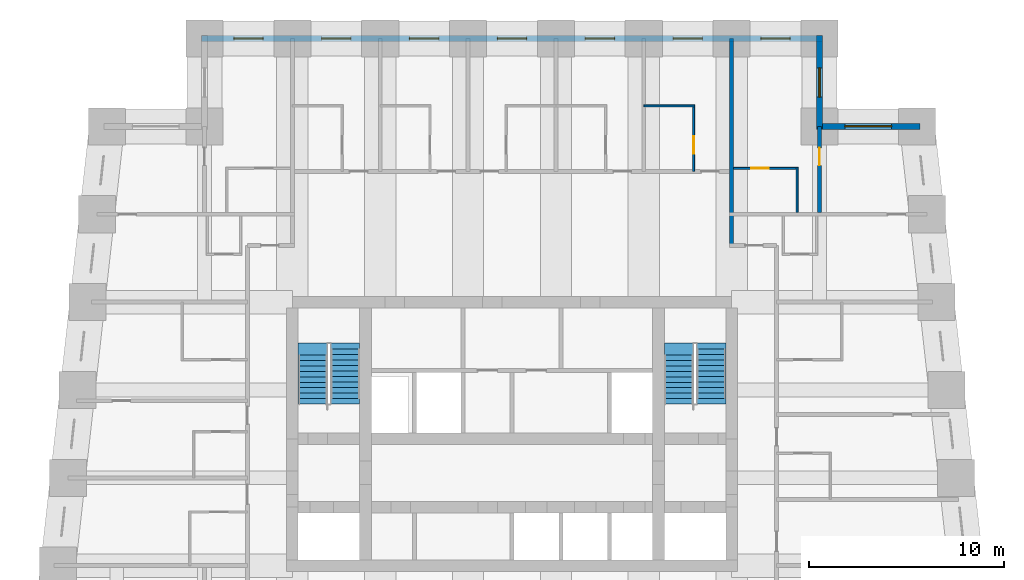
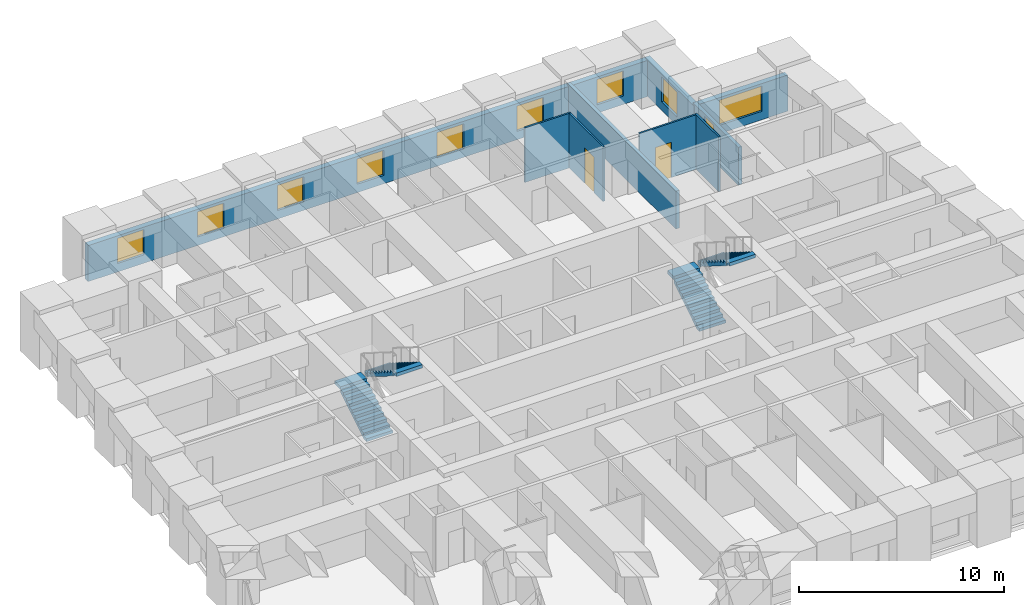
# One storey, part 7 of 8: 9 walls, 9 windows, 4 stair flights, 3 doors, 12 openings, 2 elements without a shape of their own.
"""IFC4 building model written with IfcOpenShell, lengths in metres."""

from ifc_helpers import new_model, si_unit, direction, frame, frame_2d, origin, place, context, subcontext, project, spatial, polyline, rectangle, outline, extrude, material, layer, layer_set, type_object, element, fill, aggregate, save


model = new_model("IFC4")

# Units and contexts
model_context = context("Model", 3, precision=1e-05, world=origin(), true_north=direction((0.0, 1.0)))
body_context = subcontext(model_context, "Body", "Model", "MODEL_VIEW")
ifc_project = project(units=[si_unit("LENGTHUNIT", "METRE"), si_unit("AREAUNIT", "SQUARE_METRE"), si_unit("VOLUMEUNIT", "CUBIC_METRE"), si_unit("PLANEANGLEUNIT", "RADIAN"), si_unit("MASSUNIT", "GRAM", prefix="KILO")], contexts=[model_context])

# Site, building, storey
site_placement = place(None, origin())
site = spatial("IfcSite", under=ifc_project, at=site_placement, CompositionType="ELEMENT")
building_placement = place(site_placement, origin())
building = spatial("IfcBuilding", under=site, at=building_placement, Name="Kilele Tower Hotel", CompositionType="ELEMENT")
storey_placement = place(building_placement, frame((0.0, 0.0, 93.39990234375)))
storey = spatial("IfcBuildingStorey", under=building, at=storey_placement, Name="L23", CompositionType="ELEMENT", Elevation=93.39990234375)

# Wall
ifc_material_1 = material(Name="Moisture-resistant board")
ifc_layer_1 = layer(ifc_material_1, 0.10009765625)
ifc_layer_set_1 = layer_set([ifc_layer_1], Name="Moisture-resistant board")
wall_type_1 = type_object("IfcWallType", Name="Bathroom partition 100", PredefinedType="PLUMBINGWALL", material=ifc_layer_set_1)
wall_1_placement = place(storey_placement, frame((31.5, 37.050048828125, 0.0), z_axis=(0.0, 0.0, 1.0), x_axis=(1.0, 0.0, 0.0)))
element("IfcWall", 1, at=wall_1_placement, inside=storey, type_object=wall_type_1, Name="Bathroom partition 100 L23", PredefinedType="PLUMBINGWALL", context=body_context, shape_type="SweptSolid", body=[
    extrude(rectangle(XDim=2.60009765625, YDim=0.10009765625, at=frame_2d((1.300048828125, 0.0))), origin(), (0.0, 0.0, 1.0), 3.25),
])

# Wall, opening, door
wall_2_placement = place(storey_placement, frame((34.050048828125, 33.699951171875, 0.0), z_axis=(0.0, 0.0, 1.0), x_axis=(0.0, 1.0, 0.0)))
wall_2 = element("IfcWall", 2, at=wall_2_placement, inside=storey, type_object=wall_type_1, Name="Bathroom partition 100 L23", PredefinedType="PLUMBINGWALL", context=body_context, shape_type="SweptSolid", body=[
    extrude(rectangle(XDim=3.400146484375, YDim=0.10009765625, at=frame_2d((1.7001953125, 0.0))), origin(), (0.0, 0.0, 1.0), 3.25),
])
opening_1_placement = place(wall_2_placement, frame((1.7998046875, 0.0, 0.0), z_axis=(0.0, 0.0, 1.0), x_axis=(-1.0, 0.0, 0.0)))
opening_1 = element("IfcOpeningElement", 3, at=opening_1_placement, cuts=wall_2, Name="Opening D2A", PredefinedType="OPENING", context=body_context, shape_type="SweptSolid", body=[
    extrude(rectangle(XDim=0.89990234375, YDim=2.10009765625, at=frame_2d((0.449951171875, 1.050048828125))), frame((0.0, 0.06005859375, 0.0), z_axis=(0.0, -1.0, 0.0), x_axis=(1.0, 0.0, 0.0)), (0.0, 0.0, 1.0), 0.1201171875),
])
ifc_material_2 = material(Name="Timber door leaf in hardwood frame", Category="wood")
door_type_1 = type_object("IfcDoorType", Name="Bathroom door 900", OperationType="SINGLE_SWING_LEFT", PredefinedType="DOOR", material=ifc_material_2)
door_1_placement = place(opening_1_placement, origin())
door_1 = element("IfcDoor", 4, at=door_1_placement, inside=storey, type_object=door_type_1, Name="Bathroom door 2313B", OperationType="SINGLE_SWING_RIGHT", OverallHeight=2.10009765625, OverallWidth=0.89990234375, PredefinedType="DOOR", context=body_context, shape_type="SweptSolid", body=[
    extrude(rectangle(XDim=0.89990234375, YDim=2.10009765625, at=frame_2d((0.449951171875, 1.050048828125))), frame((0.0, 0.02490234375, 0.0), z_axis=(0.0, -1.0, 0.0), x_axis=(1.0, 0.0, 0.0)), (0.0, 0.0, 1.0), 0.050048828125),
])
fill(opening_1, door_1)

# Wall
wall_3_placement = place(storey_placement, frame((39.35009765625, 31.60009765625, 0.0), z_axis=(0.0, 0.0, 1.0), x_axis=(0.0, 1.0, 0.0)))
element("IfcWall", 5, at=wall_3_placement, inside=storey, type_object=wall_type_1, Name="Bathroom partition 100 L23", PredefinedType="PLUMBINGWALL", context=body_context, shape_type="SweptSolid", body=[
    extrude(rectangle(XDim=2.2998046875, YDim=0.10009765625, at=frame_2d((1.14990234375, 0.0))), origin(), (0.0, 0.0, 1.0), 3.25),
])

# Wall, opening, door
wall_4_placement = place(storey_placement, frame((36.10009765625, 33.85009765625, 0.0), z_axis=(0.0, 0.0, 1.0), x_axis=(1.0, 0.0, 0.0)))
wall_4 = element("IfcWall", 6, at=wall_4_placement, inside=storey, type_object=wall_type_1, Name="Bathroom partition 100 L23", PredefinedType="PLUMBINGWALL", context=body_context, shape_type="SweptSolid", body=[
    extrude(rectangle(XDim=3.2998046875, YDim=0.10009765625, at=frame_2d((1.64990234375, 0.0))), origin(), (0.0, 0.0, 1.0), 3.25),
])
opening_2_placement = place(wall_4_placement, frame((0.89990234375, 0.0, 0.0)))
opening_2 = element("IfcOpeningElement", 7, at=opening_2_placement, cuts=wall_4, Name="Opening D2A", PredefinedType="OPENING", context=body_context, shape_type="SweptSolid", body=[
    extrude(rectangle(XDim=0.89990234375, YDim=2.10009765625, at=frame_2d((0.449951171875, 1.050048828125))), frame((0.0, 0.06005859375, 0.0), z_axis=(0.0, -1.0, 0.0), x_axis=(1.0, 0.0, 0.0)), (0.0, 0.0, 1.0), 0.1201171875),
])
door_2_placement = place(opening_2_placement, origin())
door_2 = element("IfcDoor", 8, at=door_2_placement, inside=storey, type_object=door_type_1, Name="Bathroom door 2324B", OperationType="SINGLE_SWING_LEFT", OverallHeight=2.10009765625, OverallWidth=0.89990234375, PredefinedType="DOOR", context=body_context, shape_type="SweptSolid", body=[
    extrude(rectangle(XDim=0.89990234375, YDim=2.10009765625, at=frame_2d((0.449951171875, 1.050048828125))), frame((0.0, 0.02490234375, 0.0), z_axis=(0.0, -1.0, 0.0), x_axis=(1.0, 0.0, 0.0)), (0.0, 0.0, 1.0), 0.050048828125),
])
fill(opening_2, door_2)

ifc_material_3 = material(Name="Blockwork, plastered both sides", Category="masonry")
ifc_layer_2 = layer(ifc_material_3, 0.199951171875)
ifc_layer_set_2 = layer_set([ifc_layer_2], Name="Blockwork, plastered both sides")
wall_type_2 = type_object("IfcWallType", Name="Partition wall 200", PredefinedType="PARTITIONING", material=ifc_layer_set_2)
wall_5_placement = place(storey_placement, frame((40.5, 31.60009765625, 0.0), z_axis=(0.0, 0.0, 1.0), x_axis=(0.0, 1.0, 0.0)))
wall_5 = element("IfcWall", 9, at=wall_5_placement, inside=storey, type_object=wall_type_2, Name="Partition wall 200 L23", PredefinedType="PARTITIONING", context=body_context, shape_type="SweptSolid", body=[
    extrude(rectangle(XDim=4.39990234375, YDim=0.199951171875, at=frame_2d((2.199951171875, 0.0))), origin(), (0.0, 0.0, 1.0), 2.25),
])
opening_3_placement = place(wall_5_placement, frame((2.39990234375, 0.0, 0.0)))
opening_3 = element("IfcOpeningElement", 10, at=opening_3_placement, cuts=wall_5, Name="Opening D3", PredefinedType="OPENING", context=body_context, shape_type="SweptSolid", body=[
    extrude(rectangle(XDim=0.89990234375, YDim=2.10009765625, at=frame_2d((0.449951171875, 1.050048828125))), frame((0.0, 0.10986328125, 0.0), z_axis=(0.0, -1.0, 0.0), x_axis=(1.0, 0.0, 0.0)), (0.0, 0.0, 1.0), 0.219970703125),
])
ifc_material_4 = material(Name="Timber door leaf in hardwood frame", Category="wood")
door_type_2 = type_object("IfcDoorType", Name="Suite internal door 900", OperationType="SINGLE_SWING_LEFT", PredefinedType="DOOR", material=ifc_material_4)
door_3_placement = place(opening_3_placement, origin())
door_3 = element("IfcDoor", 11, at=door_3_placement, inside=storey, type_object=door_type_2, Name="Suite door 2325", OperationType="SINGLE_SWING_RIGHT", OverallHeight=2.10009765625, OverallWidth=0.89990234375, PredefinedType="DOOR", context=body_context, shape_type="SweptSolid", body=[
    extrude(rectangle(XDim=0.89990234375, YDim=2.10009765625, at=frame_2d((0.449951171875, 1.050048828125))), frame((0.0, 0.02490234375, 0.0), z_axis=(0.0, -1.0, 0.0), x_axis=(1.0, 0.0, 0.0)), (0.0, 0.0, 1.0), 0.050048828125),
])
fill(opening_3, door_3)

# Wall
ifc_material_5 = material(Name="Blockwork, plastered both sides", Category="masonry")
ifc_layer_3 = layer(ifc_material_5, 0.199951171875)
ifc_layer_set_3 = layer_set([ifc_layer_3], Name="Blockwork, plastered both sides")
wall_type_3 = type_object("IfcWallType", Name="Party wall 200", PredefinedType="PARTITIONING", material=ifc_layer_set_3)
wall_6_placement = place(storey_placement, frame((36.0, 29.89990234375, 0.0), z_axis=(0.0, 0.0, 1.0), x_axis=(0.0, 1.0, 0.0)))
element("IfcWall", 12, at=wall_6_placement, inside=storey, type_object=wall_type_3, Name="Party wall 200 L23", PredefinedType="PARTITIONING", context=body_context, shape_type="SweptSolid", body=[
    extrude(rectangle(XDim=10.60009765625, YDim=0.199951171875, at=frame_2d((5.300048828125, 0.0))), origin(), (0.0, 0.0, 1.0), 2.25),
])

# Wall, opening, window
ifc_material_6 = material(Name="Concrete C40/50 precast", Category="concrete")
ifc_layer_4 = layer(ifc_material_6, 0.260009765625, Name="Precast backing", Category="LoadBearing")
ifc_material_7 = material(Name="Reconstituted stone finish", Category="masonry")
ifc_layer_5 = layer(ifc_material_7, 0.0400390625, Name="Face mix", Category="Finish")
ifc_layer_set_4 = layer_set([ifc_layer_4, ifc_layer_5], Name="Precast concrete C40/50, reconstituted stone finish")
wall_type_4 = type_object("IfcWallType", Name="Precast stone facade wall 300", PredefinedType="STANDARD", material=ifc_layer_set_4)
wall_7_placement = place(storey_placement, frame((45.64990234375, 36.0, 0.0), z_axis=(0.0, 0.0, 1.0), x_axis=(-1.0, 0.0, 0.0)))
wall_7 = element("IfcWall", 13, at=wall_7_placement, inside=storey, type_object=wall_type_4, Name="Facade wall L23 edge 7", PredefinedType="STANDARD", context=body_context, shape_type="SweptSolid", body=[
    extrude(rectangle(XDim=5.2998046875, YDim=0.300048828125, at=frame_2d((2.64990234375, 0.0))), origin(), (0.0, 0.0, 1.0), 2.150146484375),
])
opening_4_placement = place(wall_7_placement, frame((1.449951171875, 0.0, 0.5)))
opening_4 = element("IfcOpeningElement", 14, at=opening_4_placement, cuts=wall_7, Name="Opening W2", PredefinedType="OPENING", context=body_context, shape_type="SweptSolid", body=[
    extrude(rectangle(XDim=2.39990234375, YDim=1.5, at=frame_2d((1.199951171875, 0.75))), frame((0.0, 0.159912109375, 0.0), z_axis=(0.0, -1.0, 0.0), x_axis=(1.0, 0.0, 0.0)), (0.0, 0.0, 1.0), 0.320068359375),
])
ifc_material_8 = material(Name="Aluminium frame, clear double glazing", Category="aluminium")
window_type_1 = type_object("IfcWindowType", Name="Window W2 2400 x 1500", PartitioningType="SINGLE_PANEL", PredefinedType="WINDOW", material=ifc_material_8)
window_1_placement = place(opening_4_placement, origin())
window_1 = element("IfcWindow", 15, at=window_1_placement, inside=storey, type_object=window_type_1, Name="Window L23", OverallHeight=1.5, OverallWidth=2.39990234375, PartitioningType="SINGLE_PANEL", PredefinedType="WINDOW", context=body_context, shape_type="SweptSolid", body=[
    extrude(rectangle(XDim=2.39990234375, YDim=1.5, at=frame_2d((1.199951171875, 0.75))), frame((0.0, 0.030029296875, 0.0), z_axis=(0.0, -1.0, 0.0), x_axis=(1.0, 0.0, 0.0)), (0.0, 0.0, 1.0), 0.06005859375),
])
fill(opening_4, window_1)

wall_8_placement = place(storey_placement, frame((40.5, 35.85009765625, 0.0), z_axis=(0.0, 0.0, 1.0), x_axis=(0.0, 1.0, 0.0)))
wall_8 = element("IfcWall", 16, at=wall_8_placement, inside=storey, type_object=wall_type_4, Name="Facade wall L23 edge 8", PredefinedType="STANDARD", context=body_context, shape_type="SweptSolid", body=[
    extrude(rectangle(XDim=4.7998046875, YDim=0.300048828125, at=frame_2d((2.39990234375, 0.0))), origin(), (0.0, 0.0, 1.0), 2.150146484375),
])
opening_5_placement = place(wall_8_placement, frame((1.64990234375, 0.0, 0.5)))
opening_5 = element("IfcOpeningElement", 17, at=opening_5_placement, cuts=wall_8, Name="Opening W2", PredefinedType="OPENING", context=body_context, shape_type="SweptSolid", body=[
    extrude(rectangle(XDim=1.5, YDim=1.5, at=frame_2d((0.75, 0.75))), frame((0.0, 0.159912109375, 0.0), z_axis=(0.0, -1.0, 0.0), x_axis=(1.0, 0.0, 0.0)), (0.0, 0.0, 1.0), 0.320068359375),
])
ifc_material_9 = material(Name="Aluminium frame, clear double glazing", Category="aluminium")
window_type_2 = type_object("IfcWindowType", Name="Window W2 1500 x 1500", PartitioningType="SINGLE_PANEL", PredefinedType="WINDOW", material=ifc_material_9)
window_2_placement = place(opening_5_placement, origin())
window_2 = element("IfcWindow", 18, at=window_2_placement, inside=storey, type_object=window_type_2, Name="Window L23", OverallHeight=1.5, OverallWidth=1.5, PartitioningType="SINGLE_PANEL", PredefinedType="WINDOW", context=body_context, shape_type="SweptSolid", body=[
    extrude(rectangle(XDim=1.5, YDim=1.5, at=frame_2d((0.75, 0.75))), frame((0.0, 0.030029296875, 0.0), z_axis=(0.0, -1.0, 0.0), x_axis=(1.0, 0.0, 0.0)), (0.0, 0.0, 1.0), 0.06005859375),
])
fill(opening_5, window_2)

# Wall, openings, windows
wall_9_placement = place(storey_placement, frame((40.64990234375, 40.5, 0.0), z_axis=(0.0, 0.0, 1.0), x_axis=(-1.0, 0.0, 0.0)))
wall_9 = element("IfcWall", 19, at=wall_9_placement, inside=storey, type_object=wall_type_4, Name="Facade wall L23 edge 9", PredefinedType="STANDARD", context=body_context, shape_type="SweptSolid", body=[
    extrude(rectangle(XDim=31.7998046875, YDim=0.300048828125, at=frame_2d((15.89990234375, 0.0))), origin(), (0.0, 0.0, 1.0), 2.150146484375),
])
opening_6_placement = place(wall_9_placement, frame((1.64990234375, 0.0, 0.5)))
opening_6 = element("IfcOpeningElement", 20, at=opening_6_placement, cuts=wall_9, Name="Opening W2", PredefinedType="OPENING", context=body_context, shape_type="SweptSolid", body=[
    extrude(rectangle(XDim=1.5, YDim=1.5, at=frame_2d((0.75, 0.75))), frame((0.0, 0.159912109375, 0.0), z_axis=(0.0, -1.0, 0.0), x_axis=(1.0, 0.0, 0.0)), (0.0, 0.0, 1.0), 0.320068359375),
])
opening_7_placement = place(wall_9_placement, frame((6.14990234375, 0.0, 0.5)))
opening_7 = element("IfcOpeningElement", 21, at=opening_7_placement, cuts=wall_9, Name="Opening W2", PredefinedType="OPENING", context=body_context, shape_type="SweptSolid", body=[
    extrude(rectangle(XDim=1.5, YDim=1.5, at=frame_2d((0.75, 0.75))), frame((0.0, 0.159912109375, 0.0), z_axis=(0.0, -1.0, 0.0), x_axis=(1.0, 0.0, 0.0)), (0.0, 0.0, 1.0), 0.320068359375),
])
opening_8_placement = place(wall_9_placement, frame((10.64990234375, 0.0, 0.5)))
opening_8 = element("IfcOpeningElement", 22, at=opening_8_placement, cuts=wall_9, Name="Opening W2", PredefinedType="OPENING", context=body_context, shape_type="SweptSolid", body=[
    extrude(rectangle(XDim=1.5, YDim=1.5, at=frame_2d((0.75, 0.75))), frame((0.0, 0.159912109375, 0.0), z_axis=(0.0, -1.0, 0.0), x_axis=(1.0, 0.0, 0.0)), (0.0, 0.0, 1.0), 0.320068359375),
])
opening_9_placement = place(wall_9_placement, frame((15.14990234375, 0.0, 0.5)))
opening_9 = element("IfcOpeningElement", 23, at=opening_9_placement, cuts=wall_9, Name="Opening W2", PredefinedType="OPENING", context=body_context, shape_type="SweptSolid", body=[
    extrude(rectangle(XDim=1.5, YDim=1.5, at=frame_2d((0.75, 0.75))), frame((0.0, 0.159912109375, 0.0), z_axis=(0.0, -1.0, 0.0), x_axis=(1.0, 0.0, 0.0)), (0.0, 0.0, 1.0), 0.320068359375),
])
opening_10_placement = place(wall_9_placement, frame((19.64990234375, 0.0, 0.5)))
opening_10 = element("IfcOpeningElement", 24, at=opening_10_placement, cuts=wall_9, Name="Opening W2", PredefinedType="OPENING", context=body_context, shape_type="SweptSolid", body=[
    extrude(rectangle(XDim=1.5, YDim=1.5, at=frame_2d((0.75, 0.75))), frame((0.0, 0.159912109375, 0.0), z_axis=(0.0, -1.0, 0.0), x_axis=(1.0, 0.0, 0.0)), (0.0, 0.0, 1.0), 0.320068359375),
])
opening_11_placement = place(wall_9_placement, frame((24.14990234375, 0.0, 0.5)))
opening_11 = element("IfcOpeningElement", 25, at=opening_11_placement, cuts=wall_9, Name="Opening W2", PredefinedType="OPENING", context=body_context, shape_type="SweptSolid", body=[
    extrude(rectangle(XDim=1.5, YDim=1.5, at=frame_2d((0.75, 0.75))), frame((0.0, 0.159912109375, 0.0), z_axis=(0.0, -1.0, 0.0), x_axis=(1.0, 0.0, 0.0)), (0.0, 0.0, 1.0), 0.320068359375),
])
opening_12_placement = place(wall_9_placement, frame((28.64990234375, 0.0, 0.5)))
opening_12 = element("IfcOpeningElement", 26, at=opening_12_placement, cuts=wall_9, Name="Opening W2", PredefinedType="OPENING", context=body_context, shape_type="SweptSolid", body=[
    extrude(rectangle(XDim=1.5, YDim=1.5, at=frame_2d((0.75, 0.75))), frame((0.0, 0.159912109375, 0.0), z_axis=(0.0, -1.0, 0.0), x_axis=(1.0, 0.0, 0.0)), (0.0, 0.0, 1.0), 0.320068359375),
])
window_3_placement = place(opening_6_placement, origin())
window_3 = element("IfcWindow", 27, at=window_3_placement, inside=storey, type_object=window_type_2, Name="Window L23", OverallHeight=1.5, OverallWidth=1.5, PartitioningType="SINGLE_PANEL", PredefinedType="WINDOW", context=body_context, shape_type="SweptSolid", body=[
    extrude(rectangle(XDim=1.5, YDim=1.5, at=frame_2d((0.75, 0.75))), frame((0.0, 0.030029296875, 0.0), z_axis=(0.0, -1.0, 0.0), x_axis=(1.0, 0.0, 0.0)), (0.0, 0.0, 1.0), 0.06005859375),
])
fill(opening_6, window_3)
window_4_placement = place(opening_7_placement, origin())
window_4 = element("IfcWindow", 28, at=window_4_placement, inside=storey, type_object=window_type_2, Name="Window L23", OverallHeight=1.5, OverallWidth=1.5, PartitioningType="SINGLE_PANEL", PredefinedType="WINDOW", context=body_context, shape_type="SweptSolid", body=[
    extrude(rectangle(XDim=1.5, YDim=1.5, at=frame_2d((0.75, 0.75))), frame((0.0, 0.030029296875, 0.0), z_axis=(0.0, -1.0, 0.0), x_axis=(1.0, 0.0, 0.0)), (0.0, 0.0, 1.0), 0.06005859375),
])
fill(opening_7, window_4)
window_5_placement = place(opening_8_placement, origin())
window_5 = element("IfcWindow", 29, at=window_5_placement, inside=storey, type_object=window_type_2, Name="Window L23", OverallHeight=1.5, OverallWidth=1.5, PartitioningType="SINGLE_PANEL", PredefinedType="WINDOW", context=body_context, shape_type="SweptSolid", body=[
    extrude(rectangle(XDim=1.5, YDim=1.5, at=frame_2d((0.75, 0.75))), frame((0.0, 0.030029296875, 0.0), z_axis=(0.0, -1.0, 0.0), x_axis=(1.0, 0.0, 0.0)), (0.0, 0.0, 1.0), 0.06005859375),
])
fill(opening_8, window_5)
window_6_placement = place(opening_9_placement, origin())
window_6 = element("IfcWindow", 30, at=window_6_placement, inside=storey, type_object=window_type_2, Name="Window L23", OverallHeight=1.5, OverallWidth=1.5, PartitioningType="SINGLE_PANEL", PredefinedType="WINDOW", context=body_context, shape_type="SweptSolid", body=[
    extrude(rectangle(XDim=1.5, YDim=1.5, at=frame_2d((0.75, 0.75))), frame((0.0, 0.030029296875, 0.0), z_axis=(0.0, -1.0, 0.0), x_axis=(1.0, 0.0, 0.0)), (0.0, 0.0, 1.0), 0.06005859375),
])
fill(opening_9, window_6)
window_7_placement = place(opening_10_placement, origin())
window_7 = element("IfcWindow", 31, at=window_7_placement, inside=storey, type_object=window_type_2, Name="Window L23", OverallHeight=1.5, OverallWidth=1.5, PartitioningType="SINGLE_PANEL", PredefinedType="WINDOW", context=body_context, shape_type="SweptSolid", body=[
    extrude(rectangle(XDim=1.5, YDim=1.5, at=frame_2d((0.75, 0.75))), frame((0.0, 0.030029296875, 0.0), z_axis=(0.0, -1.0, 0.0), x_axis=(1.0, 0.0, 0.0)), (0.0, 0.0, 1.0), 0.06005859375),
])
fill(opening_10, window_7)
window_8_placement = place(opening_11_placement, origin())
window_8 = element("IfcWindow", 32, at=window_8_placement, inside=storey, type_object=window_type_2, Name="Window L23", OverallHeight=1.5, OverallWidth=1.5, PartitioningType="SINGLE_PANEL", PredefinedType="WINDOW", context=body_context, shape_type="SweptSolid", body=[
    extrude(rectangle(XDim=1.5, YDim=1.5, at=frame_2d((0.75, 0.75))), frame((0.0, 0.030029296875, 0.0), z_axis=(0.0, -1.0, 0.0), x_axis=(1.0, 0.0, 0.0)), (0.0, 0.0, 1.0), 0.06005859375),
])
fill(opening_11, window_8)
window_9_placement = place(opening_12_placement, origin())
window_9 = element("IfcWindow", 33, at=window_9_placement, inside=storey, type_object=window_type_2, Name="Window L23", OverallHeight=1.5, OverallWidth=1.5, PartitioningType="SINGLE_PANEL", PredefinedType="WINDOW", context=body_context, shape_type="SweptSolid", body=[
    extrude(rectangle(XDim=1.5, YDim=1.5, at=frame_2d((0.75, 0.75))), frame((0.0, 0.030029296875, 0.0), z_axis=(0.0, -1.0, 0.0), x_axis=(1.0, 0.0, 0.0)), (0.0, 0.0, 1.0), 0.06005859375),
])
fill(opening_12, window_9)

# Stair, stair flights
ifc_material_10 = material(Name="Precast concrete C40/50", Category="concrete")
stair_type = type_object("IfcStairType", Name="Stair 1475 x 3500", PredefinedType="HALF_TURN_STAIR", material=ifc_material_10)
stair_1_placement = place(storey_placement, origin())
stair_1 = element("IfcStair", 34, at=stair_1_placement, inside=storey, type_object=stair_type, Name="Stair 1 L23", PredefinedType="HALF_TURN_STAIR")
ifc_material_11 = material(Name="Precast concrete C40/50", Category="concrete")
stair_flight_type = type_object("IfcStairFlightType", Name="Flight 1475 riser 175.0", PredefinedType="STRAIGHT", material=ifc_material_11)
stair_flight_1_placement = place(storey_placement, frame((14.53759765625, 21.77490234375, 0.0), z_axis=(0.0, 0.0, 1.0), x_axis=(0.0, 1.0, 0.0)))
stair_flight_1 = element("IfcStairFlight", 35, at=stair_flight_1_placement, type_object=stair_flight_type, Name="ST1 flight 1", NumberOfRisers=10, NumberOfTreads=9, PredefinedType="STRAIGHT", RiserHeight=0.175, TreadLength=0.28, context=body_context, shape_type="SweptSolid", body=[
    extrude(outline(polyline([(0.0, 0.0), (0.0, 0.175048828125), (0.280029296875, 0.175048828125), (0.280029296875, 0.35009765625), (0.56005859375, 0.35009765625), (0.56005859375, 0.52490234375), (0.840087890625, 0.52490234375), (0.840087890625, 0.699951171875), (1.1201171875, 0.699951171875), (1.1201171875, 0.875), (1.39990234375, 0.875), (1.39990234375, 1.050048828125), (1.679931640625, 1.050048828125), (1.679931640625, 1.22509765625), (1.9599609375, 1.22509765625), (1.9599609375, 1.39990234375), (2.239990234375, 1.39990234375), (2.239990234375, 1.574951171875), (2.52001953125, 1.574951171875), (2.52001953125, 1.75), (2.52001953125, 1.398193359375), (0.28271484375, 0.0), (0.0, 0.0)])), frame((0.0, 0.737548828125, 0.0), z_axis=(0.0, -1.0, 0.0), x_axis=(1.0, 0.0, 0.0)), (0.0, 0.0, 1.0), 1.47509765625),
    extrude(outline(polyline([(2.52001953125, 0.737548828125), (2.52001953125, -0.7373046875), (3.1201171875, -0.7373046875), (3.1201171875, 0.737548828125), (2.52001953125, 0.737548828125)])), frame((0.0, 0.0, 1.550048828125)), (0.0, 0.0, 1.0), 0.199951171875),
])
stair_flight_2_placement = place(storey_placement, frame((16.21240234375, 24.594970703125, 1.75), z_axis=(0.0, 0.0, 1.0), x_axis=(0.0, -1.0, 0.0)))
stair_flight_2 = element("IfcStairFlight", 36, at=stair_flight_2_placement, type_object=stair_flight_type, Name="ST1 flight 2", NumberOfRisers=10, NumberOfTreads=9, PredefinedType="STRAIGHT", RiserHeight=0.175, TreadLength=0.28, context=body_context, shape_type="SweptSolid", body=[
    extrude(outline(polyline([(0.0, 0.0), (0.0, 0.175048828125), (0.280029296875, 0.175048828125), (0.280029296875, 0.35009765625), (0.56005859375, 0.35009765625), (0.56005859375, 0.52490234375), (0.840087890625, 0.52490234375), (0.840087890625, 0.699951171875), (1.1201171875, 0.699951171875), (1.1201171875, 0.875), (1.39990234375, 0.875), (1.39990234375, 1.050048828125), (1.679931640625, 1.050048828125), (1.679931640625, 1.22509765625), (1.9599609375, 1.22509765625), (1.9599609375, 1.39990234375), (2.239990234375, 1.39990234375), (2.239990234375, 1.574951171875), (2.52001953125, 1.574951171875), (2.52001953125, 1.75), (2.52001953125, 1.398193359375), (0.28271484375, 0.0), (0.0, 0.0)])), frame((0.0, 0.737548828125, 0.0), z_axis=(0.0, -1.0, 0.0), x_axis=(1.0, 0.0, 0.0)), (0.0, 0.0, 1.0), 1.47509765625),
    extrude(outline(polyline([(0.0, -0.7373046875), (0.0, 0.737548828125), (-0.300048828125, 0.737548828125), (-0.300048828125, -0.7373046875), (0.0, -0.7373046875)])), frame((0.0, 0.0, -0.199951171875)), (0.0, 0.0, 1.0), 0.199951171875),
    extrude(outline(polyline([(2.820068359375, -0.7373046875), (2.820068359375, 0.737548828125), (2.52001953125, 0.737548828125), (2.52001953125, -0.7373046875), (2.820068359375, -0.7373046875)])), frame((0.0, 0.0, 1.550048828125)), (0.0, 0.0, 1.0), 0.199951171875),
])
aggregate(stair_1, [stair_flight_1, stair_flight_2])

stair_2_placement = place(storey_placement, origin())
stair_2 = element("IfcStair", 37, at=stair_2_placement, inside=storey, type_object=stair_type, Name="Stair 2 L23", PredefinedType="HALF_TURN_STAIR")
stair_flight_3_placement = place(storey_placement, frame((33.28759765625, 21.77490234375, 0.0), z_axis=(0.0, 0.0, 1.0), x_axis=(0.0, 1.0, 0.0)))
stair_flight_3 = element("IfcStairFlight", 38, at=stair_flight_3_placement, type_object=stair_flight_type, Name="ST2 flight 1", NumberOfRisers=10, NumberOfTreads=9, PredefinedType="STRAIGHT", RiserHeight=0.175, TreadLength=0.28, context=body_context, shape_type="SweptSolid", body=[
    extrude(outline(polyline([(0.0, 0.0), (0.0, 0.175048828125), (0.280029296875, 0.175048828125), (0.280029296875, 0.35009765625), (0.56005859375, 0.35009765625), (0.56005859375, 0.52490234375), (0.840087890625, 0.52490234375), (0.840087890625, 0.699951171875), (1.1201171875, 0.699951171875), (1.1201171875, 0.875), (1.39990234375, 0.875), (1.39990234375, 1.050048828125), (1.679931640625, 1.050048828125), (1.679931640625, 1.22509765625), (1.9599609375, 1.22509765625), (1.9599609375, 1.39990234375), (2.239990234375, 1.39990234375), (2.239990234375, 1.574951171875), (2.52001953125, 1.574951171875), (2.52001953125, 1.75), (2.52001953125, 1.398193359375), (0.28271484375, 0.0), (0.0, 0.0)])), frame((0.0, 0.737548828125, 0.0), z_axis=(0.0, -1.0, 0.0), x_axis=(1.0, 0.0, 0.0)), (0.0, 0.0, 1.0), 1.47509765625),
    extrude(outline(polyline([(2.52001953125, 0.737548828125), (2.52001953125, -0.7373046875), (3.1201171875, -0.7373046875), (3.1201171875, 0.737548828125), (2.52001953125, 0.737548828125)])), frame((0.0, 0.0, 1.550048828125)), (0.0, 0.0, 1.0), 0.199951171875),
])
stair_flight_4_placement = place(storey_placement, frame((34.96240234375, 24.594970703125, 1.75), z_axis=(0.0, 0.0, 1.0), x_axis=(0.0, -1.0, 0.0)))
stair_flight_4 = element("IfcStairFlight", 39, at=stair_flight_4_placement, type_object=stair_flight_type, Name="ST2 flight 2", NumberOfRisers=10, NumberOfTreads=9, PredefinedType="STRAIGHT", RiserHeight=0.175, TreadLength=0.28, context=body_context, shape_type="SweptSolid", body=[
    extrude(outline(polyline([(0.0, 0.0), (0.0, 0.175048828125), (0.280029296875, 0.175048828125), (0.280029296875, 0.35009765625), (0.56005859375, 0.35009765625), (0.56005859375, 0.52490234375), (0.840087890625, 0.52490234375), (0.840087890625, 0.699951171875), (1.1201171875, 0.699951171875), (1.1201171875, 0.875), (1.39990234375, 0.875), (1.39990234375, 1.050048828125), (1.679931640625, 1.050048828125), (1.679931640625, 1.22509765625), (1.9599609375, 1.22509765625), (1.9599609375, 1.39990234375), (2.239990234375, 1.39990234375), (2.239990234375, 1.574951171875), (2.52001953125, 1.574951171875), (2.52001953125, 1.75), (2.52001953125, 1.398193359375), (0.28271484375, 0.0), (0.0, 0.0)])), frame((0.0, 0.737548828125, 0.0), z_axis=(0.0, -1.0, 0.0), x_axis=(1.0, 0.0, 0.0)), (0.0, 0.0, 1.0), 1.47509765625),
    extrude(outline(polyline([(0.0, -0.7373046875), (0.0, 0.737548828125), (-0.300048828125, 0.737548828125), (-0.300048828125, -0.7373046875), (0.0, -0.7373046875)])), frame((0.0, 0.0, -0.199951171875)), (0.0, 0.0, 1.0), 0.199951171875),
    extrude(outline(polyline([(2.820068359375, -0.7373046875), (2.820068359375, 0.737548828125), (2.52001953125, 0.737548828125), (2.52001953125, -0.7373046875), (2.820068359375, -0.7373046875)])), frame((0.0, 0.0, 1.550048828125)), (0.0, 0.0, 1.0), 0.199951171875),
])
aggregate(stair_2, [stair_flight_3, stair_flight_4])

save(model, "model.ifc")
